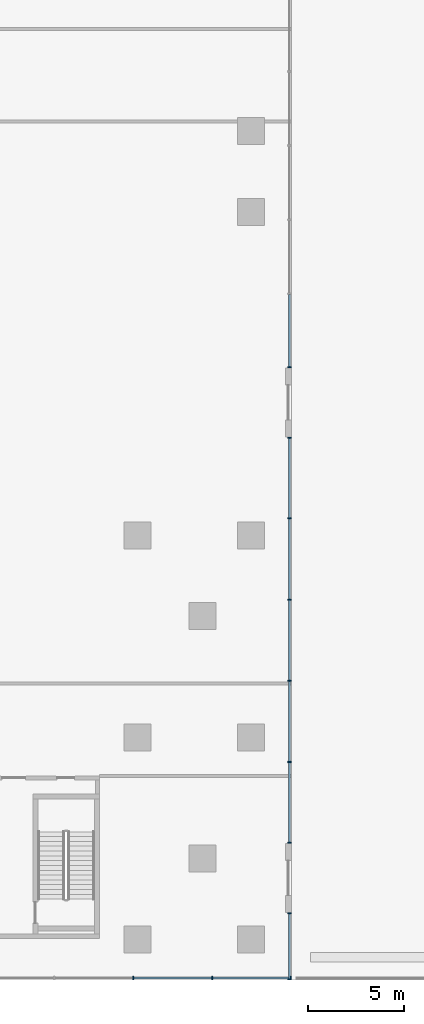
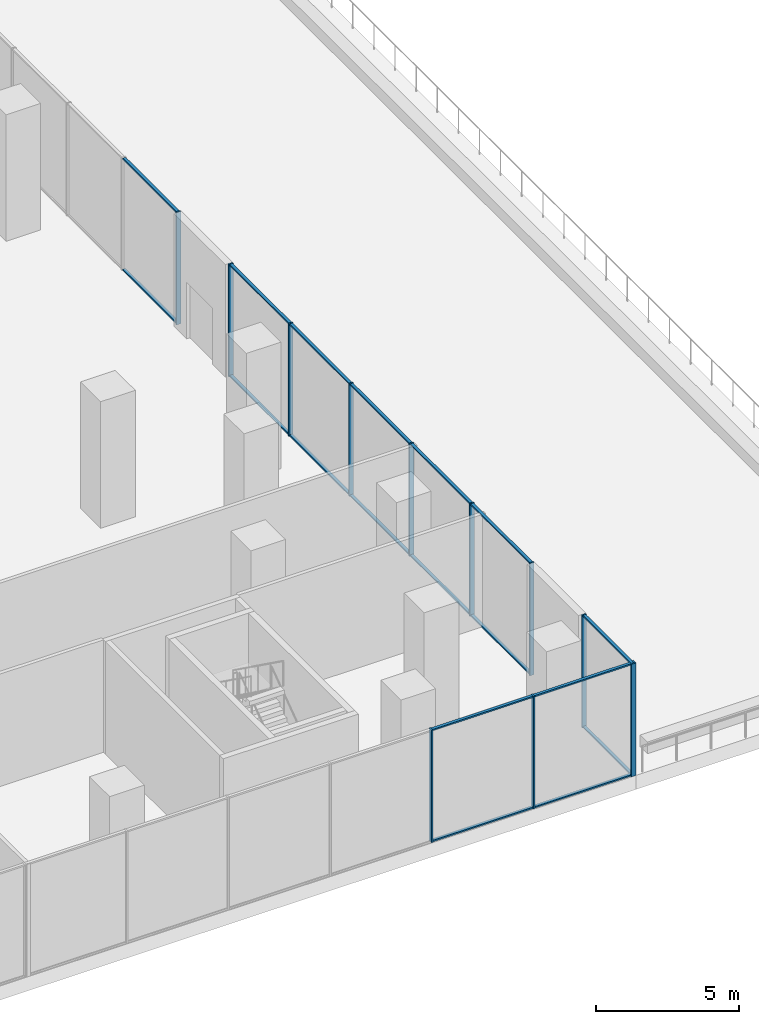
# One storey, part 8 of 23: 30 members, 4 elements without a shape of their own.
"""IFC4 building model written with IfcOpenShell, lengths in metres."""

from ifc_helpers import new_model, si_unit, direction, frame, origin, origin_2d, place, context, subcontext, project, spatial, rectangle, extrude, source, transform, mapped, material, layer, layer_set, material_profile, profile_set, type_object, element, aggregate, save


model = new_model("IFC4")

# Units and contexts
model_context = context("Model", 3, precision=1e-05, world=origin(), true_north=direction((0.0, 1.0)))
body_context = subcontext(model_context, "Body", "Model", "MODEL_VIEW")
ifc_project = project(units=[si_unit("LENGTHUNIT", "METRE"), si_unit("AREAUNIT", "SQUARE_METRE"), si_unit("VOLUMEUNIT", "CUBIC_METRE"), si_unit("PLANEANGLEUNIT", "RADIAN"), si_unit("MASSUNIT", "GRAM", prefix="KILO")], contexts=[model_context])

# Site, building, storey
site_placement = place(None, origin())
site = spatial("IfcSite", under=ifc_project, at=site_placement, CompositionType="ELEMENT")
building_placement = place(site_placement, origin())
building = spatial("IfcBuilding", under=site, at=building_placement, Name="Aurelian Terraces", CompositionType="ELEMENT")
storey_placement = place(building_placement, frame((0.0, 0.0, 18.3)))
storey = spatial("IfcBuildingStorey", under=building, at=storey_placement, Name="L03", CompositionType="ELEMENT", Elevation=18.3)

# Curtain wall, members
ifc_material_1 = material(Name="Anodised aluminium and clear glazing", Category="aluminium")
ifc_layer = layer(ifc_material_1, 0.2)
ifc_layer_set = layer_set([ifc_layer], Name="Winter garden glazing curtain wall")
curtain_wall_type = type_object("IfcCurtainWallType", Name="Winter garden glazing curtain wall", PredefinedType="NOTDEFINED", material=ifc_layer_set)
curtain_wall_1_placement = place(storey_placement, origin())
curtain_wall_1 = element("IfcCurtainWall", 1, at=curtain_wall_1_placement, inside=storey, type_object=curtain_wall_type, Name="Winter garden glazing L03 F01.1", PredefinedType="NOTDEFINED")
ifc_material_2 = material(Name="Anodised aluminium", Category="aluminium")
ifc_material_profile_1 = material_profile(ifc_material_2, rectangle(XDim=0.18, YDim=0.06, at=origin_2d()))
ifc_profile_set_1 = profile_set([ifc_material_profile_1], Name="Anodised aluminium")
member_type_1 = type_object("IfcMemberType", Name="Winter garden glazing mullion", PredefinedType="MULLION", material=ifc_profile_set_1)
shared_shape_1 = source(origin(), body_context, "Body", "SweptSolid", [
    extrude(rectangle(XDim=0.18, YDim=0.06, at=origin_2d()), origin(), (0.0, 0.0, 1.0), 4.8),
])
member_1_placement = place(storey_placement, frame((63.6067, -2.0, 0.0), z_axis=(0.0, 0.0, 1.0), x_axis=(0.0, 1.0, 0.0)))
member_1 = element("IfcMember", 2, at=member_1_placement, type_object=member_type_1, Name="CW6 mullion 17", PredefinedType="MULLION", context=body_context, shape_type="MappedRepresentation", body=[
    mapped(shared_shape_1, transform((0.0, 0.0, 0.0), scale=1.0)),
])
member_2_placement = place(storey_placement, frame((67.7133, -2.0, 0.0), z_axis=(0.0, 0.0, 1.0), x_axis=(0.0, 1.0, 0.0)))
member_2 = element("IfcMember", 3, at=member_2_placement, type_object=member_type_1, Name="CW6 mullion 18", PredefinedType="MULLION", context=body_context, shape_type="MappedRepresentation", body=[
    mapped(shared_shape_1, transform((0.0, 0.0, 0.0), scale=1.0)),
])
member_3_placement = place(storey_placement, frame((71.79, -2.0, 0.0), z_axis=(0.0, 0.0, 1.0), x_axis=(0.0, 1.0, 0.0)))
member_3 = element("IfcMember", 4, at=member_3_placement, type_object=member_type_1, Name="CW6 mullion 19", PredefinedType="MULLION", context=body_context, shape_type="MappedRepresentation", body=[
    mapped(shared_shape_1, transform((0.0, 0.0, 0.0), scale=1.0)),
])

curtain_wall_2_placement = place(storey_placement, origin())
curtain_wall_2 = element("IfcCurtainWall", 5, at=curtain_wall_2_placement, inside=storey, type_object=curtain_wall_type, Name="Winter garden glazing L03 F02.1", PredefinedType="NOTDEFINED")
member_4_placement = place(storey_placement, frame((71.72, -2.07, 0.0), z_axis=(0.0, 0.0, 1.0), x_axis=(-1.0, 0.0, 0.0)))
member_4 = element("IfcMember", 6, at=member_4_placement, type_object=member_type_1, Name="CW6 mullion 1", PredefinedType="MULLION", context=body_context, shape_type="MappedRepresentation", body=[
    mapped(shared_shape_1, transform((0.0, 0.0, 0.0), scale=1.0)),
])
member_5_placement = place(storey_placement, frame((71.72, 1.37, 0.0), z_axis=(0.0, 0.0, 1.0), x_axis=(-1.0, 0.0, 0.0)))
member_5 = element("IfcMember", 7, at=member_5_placement, type_object=member_type_1, Name="CW6 mullion 2", PredefinedType="MULLION", context=body_context, shape_type="MappedRepresentation", body=[
    mapped(shared_shape_1, transform((0.0, 0.0, 0.0), scale=1.0)),
])

curtain_wall_3_placement = place(storey_placement, origin())
curtain_wall_3 = element("IfcCurtainWall", 8, at=curtain_wall_3_placement, inside=storey, type_object=curtain_wall_type, Name="Winter garden glazing L03 F02.3", PredefinedType="NOTDEFINED")
member_6_placement = place(storey_placement, frame((71.72, 5.03, 0.0), z_axis=(0.0, 0.0, 1.0), x_axis=(-1.0, 0.0, 0.0)))
member_6 = element("IfcMember", 9, at=member_6_placement, type_object=member_type_1, Name="CW6 mullion 1", PredefinedType="MULLION", context=body_context, shape_type="MappedRepresentation", body=[
    mapped(shared_shape_1, transform((0.0, 0.0, 0.0), scale=1.0)),
])
member_7_placement = place(storey_placement, frame((71.72, 9.22, 0.0), z_axis=(0.0, 0.0, 1.0), x_axis=(-1.0, 0.0, 0.0)))
member_7 = element("IfcMember", 10, at=member_7_placement, type_object=member_type_1, Name="CW6 mullion 2", PredefinedType="MULLION", context=body_context, shape_type="MappedRepresentation", body=[
    mapped(shared_shape_1, transform((0.0, 0.0, 0.0), scale=1.0)),
])
member_8_placement = place(storey_placement, frame((71.72, 13.44, 0.0), z_axis=(0.0, 0.0, 1.0), x_axis=(-1.0, 0.0, 0.0)))
member_8 = element("IfcMember", 11, at=member_8_placement, type_object=member_type_1, Name="CW6 mullion 3", PredefinedType="MULLION", context=body_context, shape_type="MappedRepresentation", body=[
    mapped(shared_shape_1, transform((0.0, 0.0, 0.0), scale=1.0)),
])
member_9_placement = place(storey_placement, frame((71.72, 17.66, 0.0), z_axis=(0.0, 0.0, 1.0), x_axis=(-1.0, 0.0, 0.0)))
member_9 = element("IfcMember", 12, at=member_9_placement, type_object=member_type_1, Name="CW6 mullion 4", PredefinedType="MULLION", context=body_context, shape_type="MappedRepresentation", body=[
    mapped(shared_shape_1, transform((0.0, 0.0, 0.0), scale=1.0)),
])
member_10_placement = place(storey_placement, frame((71.72, 21.88, 0.0), z_axis=(0.0, 0.0, 1.0), x_axis=(-1.0, 0.0, 0.0)))
member_10 = element("IfcMember", 13, at=member_10_placement, type_object=member_type_1, Name="CW6 mullion 5", PredefinedType="MULLION", context=body_context, shape_type="MappedRepresentation", body=[
    mapped(shared_shape_1, transform((0.0, 0.0, 0.0), scale=1.0)),
])
member_11_placement = place(storey_placement, frame((71.72, 26.07, 0.0), z_axis=(0.0, 0.0, 1.0), x_axis=(-1.0, 0.0, 0.0)))
member_11 = element("IfcMember", 14, at=member_11_placement, type_object=member_type_1, Name="CW6 mullion 6", PredefinedType="MULLION", context=body_context, shape_type="MappedRepresentation", body=[
    mapped(shared_shape_1, transform((0.0, 0.0, 0.0), scale=1.0)),
])

curtain_wall_4_placement = place(storey_placement, origin())
curtain_wall_4 = element("IfcCurtainWall", 15, at=curtain_wall_4_placement, inside=storey, type_object=curtain_wall_type, Name="Winter garden glazing L03 F02.5", PredefinedType="NOTDEFINED")
member_12_placement = place(storey_placement, frame((71.72, 29.73, 0.0), z_axis=(0.0, 0.0, 1.0), x_axis=(-1.0, 0.0, 0.0)))
member_12 = element("IfcMember", 16, at=member_12_placement, type_object=member_type_1, Name="CW6 mullion 1", PredefinedType="MULLION", context=body_context, shape_type="MappedRepresentation", body=[
    mapped(shared_shape_1, transform((0.0, 0.0, 0.0), scale=1.0)),
])
ifc_material_profile_2 = material_profile(ifc_material_2, rectangle(XDim=0.12, YDim=0.06, at=origin_2d()))
ifc_profile_set_2 = profile_set([ifc_material_profile_2], Name="Anodised aluminium")
member_type_2 = type_object("IfcMemberType", Name="Winter garden glazing transom", PredefinedType="USERDEFINED", material=ifc_profile_set_2)
shared_shape_2 = source(origin(), body_context, "Body", "SweptSolid", [
    extrude(rectangle(XDim=0.12, YDim=0.06, at=origin_2d()), origin(), (0.0, 0.0, 1.0), 3.758),
])
member_13_placement = place(storey_placement, frame((71.72, 29.76, 0.03), z_axis=(0.0, 1.0, 0.0), x_axis=(-1.0, 0.0, 0.0)))
member_13 = element("IfcMember", 17, at=member_13_placement, type_object=member_type_2, Name="CW6 transom 1.1", ObjectType="TRANSOM", PredefinedType="USERDEFINED", context=body_context, shape_type="MappedRepresentation", body=[
    mapped(shared_shape_2, transform((0.0, 0.0, 0.0), scale=1.0)),
])
member_14_placement = place(storey_placement, frame((71.72, 29.76, 4.77), z_axis=(0.0, 1.0, 0.0), x_axis=(-1.0, 0.0, 0.0)))
member_14 = element("IfcMember", 18, at=member_14_placement, type_object=member_type_2, Name="CW6 transom 1.2", ObjectType="TRANSOM", PredefinedType="USERDEFINED", context=body_context, shape_type="MappedRepresentation", body=[
    mapped(shared_shape_2, transform((0.0, 0.0, 0.0), scale=1.0)),
])
aggregate(curtain_wall_4, [member_12, member_13, member_14])

# Member
shared_shape_3 = source(origin(), body_context, "Body", "SweptSolid", [
    extrude(rectangle(XDim=0.12, YDim=0.06, at=origin_2d()), origin(), (0.0, 0.0, 1.0), 4.13),
])
member_15_placement = place(storey_placement, frame((71.72, 5.06, 0.03), z_axis=(0.0, 1.0, 0.0), x_axis=(-1.0, 0.0, 0.0)))
member_15 = element("IfcMember", 19, at=member_15_placement, type_object=member_type_2, Name="CW6 transom 1.1", ObjectType="TRANSOM", PredefinedType="USERDEFINED", context=body_context, shape_type="MappedRepresentation", body=[
    mapped(shared_shape_3, transform((0.0, 0.0, 0.0), scale=1.0)),
])

member_16_placement = place(storey_placement, frame((71.72, 5.06, 4.77), z_axis=(0.0, 1.0, 0.0), x_axis=(-1.0, 0.0, 0.0)))
member_16 = element("IfcMember", 20, at=member_16_placement, type_object=member_type_2, Name="CW6 transom 1.2", ObjectType="TRANSOM", PredefinedType="USERDEFINED", context=body_context, shape_type="MappedRepresentation", body=[
    mapped(shared_shape_3, transform((0.0, 0.0, 0.0), scale=1.0)),
])

member_17_placement = place(storey_placement, frame((71.72, 21.91, 0.03), z_axis=(0.0, 1.0, 0.0), x_axis=(-1.0, 0.0, 0.0)))
member_17 = element("IfcMember", 21, at=member_17_placement, type_object=member_type_2, Name="CW6 transom 5.1", ObjectType="TRANSOM", PredefinedType="USERDEFINED", context=body_context, shape_type="MappedRepresentation", body=[
    mapped(shared_shape_3, transform((0.0, 0.0, 0.0), scale=1.0)),
])

member_18_placement = place(storey_placement, frame((71.72, 21.91, 4.77), z_axis=(0.0, 1.0, 0.0), x_axis=(-1.0, 0.0, 0.0)))
member_18 = element("IfcMember", 22, at=member_18_placement, type_object=member_type_2, Name="CW6 transom 5.2", ObjectType="TRANSOM", PredefinedType="USERDEFINED", context=body_context, shape_type="MappedRepresentation", body=[
    mapped(shared_shape_3, transform((0.0, 0.0, 0.0), scale=1.0)),
])

shared_shape_4 = source(origin(), body_context, "Body", "SweptSolid", [
    extrude(rectangle(XDim=0.12, YDim=0.06, at=origin_2d()), origin(), (0.0, 0.0, 1.0), 4.16),
])
member_19_placement = place(storey_placement, frame((71.72, 9.25, 0.03), z_axis=(0.0, 1.0, 0.0), x_axis=(-1.0, 0.0, 0.0)))
member_19 = element("IfcMember", 23, at=member_19_placement, type_object=member_type_2, Name="CW6 transom 2.1", ObjectType="TRANSOM", PredefinedType="USERDEFINED", context=body_context, shape_type="MappedRepresentation", body=[
    mapped(shared_shape_4, transform((0.0, 0.0, 0.0), scale=1.0)),
])

member_20_placement = place(storey_placement, frame((71.72, 9.25, 4.77), z_axis=(0.0, 1.0, 0.0), x_axis=(-1.0, 0.0, 0.0)))
member_20 = element("IfcMember", 24, at=member_20_placement, type_object=member_type_2, Name="CW6 transom 2.2", ObjectType="TRANSOM", PredefinedType="USERDEFINED", context=body_context, shape_type="MappedRepresentation", body=[
    mapped(shared_shape_4, transform((0.0, 0.0, 0.0), scale=1.0)),
])

member_21_placement = place(storey_placement, frame((71.72, 13.47, 0.03), z_axis=(0.0, 1.0, 0.0), x_axis=(-1.0, 0.0, 0.0)))
member_21 = element("IfcMember", 25, at=member_21_placement, type_object=member_type_2, Name="CW6 transom 3.1", ObjectType="TRANSOM", PredefinedType="USERDEFINED", context=body_context, shape_type="MappedRepresentation", body=[
    mapped(shared_shape_4, transform((0.0, 0.0, 0.0), scale=1.0)),
])

member_22_placement = place(storey_placement, frame((71.72, 13.47, 4.77), z_axis=(0.0, 1.0, 0.0), x_axis=(-1.0, 0.0, 0.0)))
member_22 = element("IfcMember", 26, at=member_22_placement, type_object=member_type_2, Name="CW6 transom 3.2", ObjectType="TRANSOM", PredefinedType="USERDEFINED", context=body_context, shape_type="MappedRepresentation", body=[
    mapped(shared_shape_4, transform((0.0, 0.0, 0.0), scale=1.0)),
])

member_23_placement = place(storey_placement, frame((71.72, 17.69, 0.03), z_axis=(0.0, 1.0, 0.0), x_axis=(-1.0, 0.0, 0.0)))
member_23 = element("IfcMember", 27, at=member_23_placement, type_object=member_type_2, Name="CW6 transom 4.1", ObjectType="TRANSOM", PredefinedType="USERDEFINED", context=body_context, shape_type="MappedRepresentation", body=[
    mapped(shared_shape_4, transform((0.0, 0.0, 0.0), scale=1.0)),
])

member_24_placement = place(storey_placement, frame((71.72, 17.69, 4.77), z_axis=(0.0, 1.0, 0.0), x_axis=(-1.0, 0.0, 0.0)))
member_24 = element("IfcMember", 28, at=member_24_placement, type_object=member_type_2, Name="CW6 transom 4.2", ObjectType="TRANSOM", PredefinedType="USERDEFINED", context=body_context, shape_type="MappedRepresentation", body=[
    mapped(shared_shape_4, transform((0.0, 0.0, 0.0), scale=1.0)),
])

aggregate(curtain_wall_3, [member_6, member_7, member_8, member_9, member_10, member_11, member_15, member_16, member_19, member_20, member_21, member_22, member_23, member_24, member_17, member_18])

shared_shape_5 = source(origin(), body_context, "Body", "SweptSolid", [
    extrude(rectangle(XDim=0.12, YDim=0.06, at=origin_2d()), origin(), (0.0, 0.0, 1.0), 3.38),
])
member_25_placement = place(storey_placement, frame((71.72, -2.04, 0.03), z_axis=(0.0, 1.0, 0.0), x_axis=(-1.0, 0.0, 0.0)))
member_25 = element("IfcMember", 29, at=member_25_placement, type_object=member_type_2, Name="CW6 transom 1.1", ObjectType="TRANSOM", PredefinedType="USERDEFINED", context=body_context, shape_type="MappedRepresentation", body=[
    mapped(shared_shape_5, transform((0.0, 0.0, 0.0), scale=1.0)),
])

member_26_placement = place(storey_placement, frame((71.72, -2.04, 4.77), z_axis=(0.0, 1.0, 0.0), x_axis=(-1.0, 0.0, 0.0)))
member_26 = element("IfcMember", 30, at=member_26_placement, type_object=member_type_2, Name="CW6 transom 1.2", ObjectType="TRANSOM", PredefinedType="USERDEFINED", context=body_context, shape_type="MappedRepresentation", body=[
    mapped(shared_shape_5, transform((0.0, 0.0, 0.0), scale=1.0)),
])

aggregate(curtain_wall_2, [member_4, member_5, member_25, member_26])

shared_shape_6 = source(origin(), body_context, "Body", "SweptSolid", [
    extrude(rectangle(XDim=0.12, YDim=0.06, at=origin_2d()), origin(), (0.0, 0.0, 1.0), 4.0167),
])
member_27_placement = place(storey_placement, frame((67.7433, -2.0, 0.03), z_axis=(1.0, 0.0, 0.0), x_axis=(0.0, 1.0, 0.0)))
member_27 = element("IfcMember", 31, at=member_27_placement, type_object=member_type_2, Name="CW6 transom 18.1", ObjectType="TRANSOM", PredefinedType="USERDEFINED", context=body_context, shape_type="MappedRepresentation", body=[
    mapped(shared_shape_6, transform((0.0, 0.0, 0.0), scale=1.0)),
])

member_28_placement = place(storey_placement, frame((67.7433, -2.0, 4.77), z_axis=(1.0, 0.0, 0.0), x_axis=(0.0, 1.0, 0.0)))
member_28 = element("IfcMember", 32, at=member_28_placement, type_object=member_type_2, Name="CW6 transom 18.2", ObjectType="TRANSOM", PredefinedType="USERDEFINED", context=body_context, shape_type="MappedRepresentation", body=[
    mapped(shared_shape_6, transform((0.0, 0.0, 0.0), scale=1.0)),
])

shared_shape_7 = source(origin(), body_context, "Body", "SweptSolid", [
    extrude(rectangle(XDim=0.12, YDim=0.06, at=origin_2d()), origin(), (0.0, 0.0, 1.0), 4.0466),
])
member_29_placement = place(storey_placement, frame((63.6367, -2.0, 0.03), z_axis=(1.0, 0.0, 0.0), x_axis=(0.0, 1.0, 0.0)))
member_29 = element("IfcMember", 33, at=member_29_placement, type_object=member_type_2, Name="CW6 transom 17.1", ObjectType="TRANSOM", PredefinedType="USERDEFINED", context=body_context, shape_type="MappedRepresentation", body=[
    mapped(shared_shape_7, transform((0.0, 0.0, 0.0), scale=1.0)),
])

member_30_placement = place(storey_placement, frame((63.6367, -2.0, 4.77), z_axis=(1.0, 0.0, 0.0), x_axis=(0.0, 1.0, 0.0)))
member_30 = element("IfcMember", 34, at=member_30_placement, type_object=member_type_2, Name="CW6 transom 17.2", ObjectType="TRANSOM", PredefinedType="USERDEFINED", context=body_context, shape_type="MappedRepresentation", body=[
    mapped(shared_shape_7, transform((0.0, 0.0, 0.0), scale=1.0)),
])

aggregate(curtain_wall_1, [member_1, member_2, member_3, member_29, member_30, member_27, member_28])

save(model, "model.ifc")
